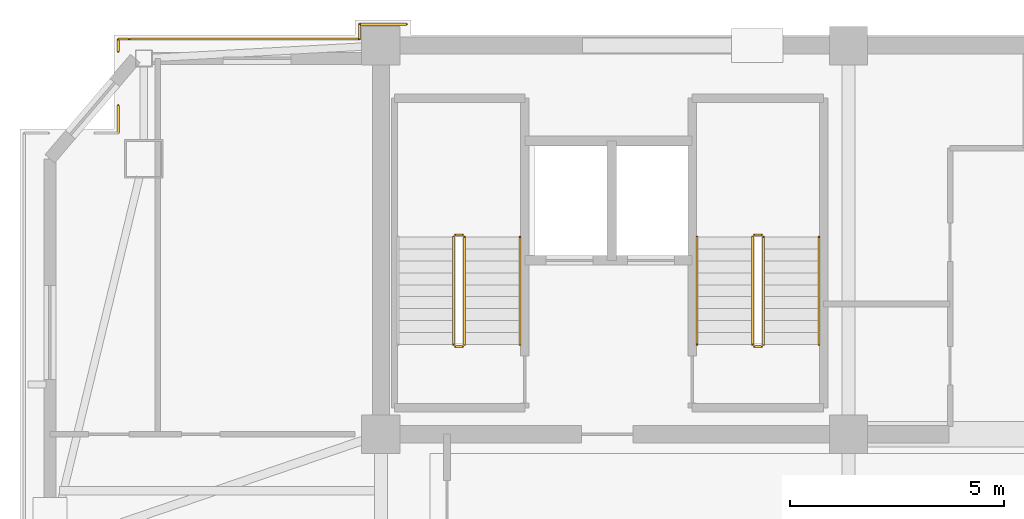
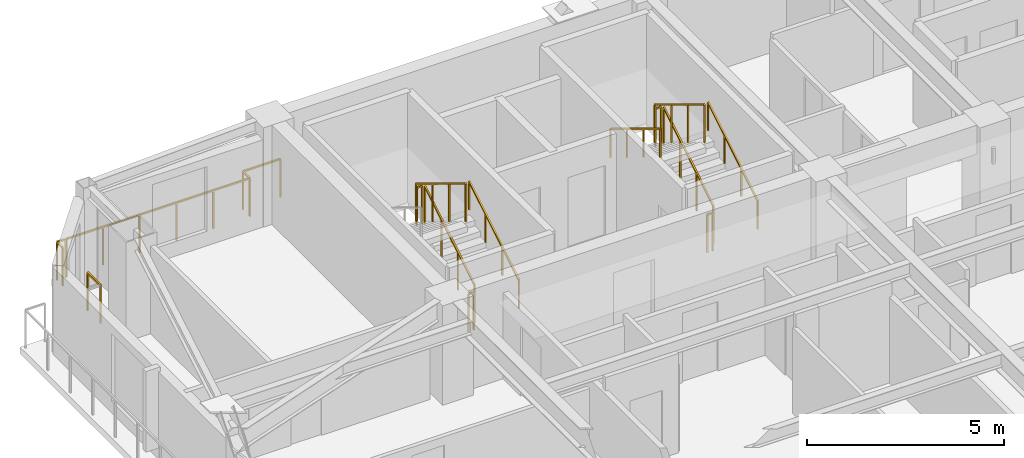
# One storey, part 12 of 13: 17 railings.
"""IFC4 building model written with IfcOpenShell, lengths in metres."""

from ifc_helpers import new_model, si_unit, direction, frame, origin, origin_2d, place, context, subcontext, project, spatial, rectangle, extrude, material, type_object, element, save


model = new_model("IFC4")

# Units and contexts
model_context = context("Model", 3, precision=1e-05, world=origin(), true_north=direction((0.0, 1.0)))
body_context = subcontext(model_context, "Body", "Model", "MODEL_VIEW")
ifc_project = project(units=[si_unit("LENGTHUNIT", "METRE"), si_unit("AREAUNIT", "SQUARE_METRE"), si_unit("VOLUMEUNIT", "CUBIC_METRE"), si_unit("PLANEANGLEUNIT", "RADIAN"), si_unit("MASSUNIT", "GRAM", prefix="KILO")], contexts=[model_context])

# Site, building, storey
site_placement = place(None, origin())
site = spatial("IfcSite", under=ifc_project, at=site_placement, CompositionType="ELEMENT")
building_placement = place(site_placement, origin())
building = spatial("IfcBuilding", under=site, at=building_placement, Name="Giltprow Tower", CompositionType="ELEMENT")
storey_placement = place(building_placement, frame((0.0, 0.0, 349.300048828125)))
storey = spatial("IfcBuildingStorey", under=building, at=storey_placement, Name="L91", CompositionType="ELEMENT", Elevation=349.300048828125)

# Railings
ifc_material = material(Name="Anodized bronze", Category="metal")
railing_type_1 = type_object("IfcRailingType", Name="RAIL-BALC-GUARD-1200", PredefinedType="BALUSTRADE", material=ifc_material)
railing_1_placement = place(storey_placement, frame((13.699951171875, 44.5, 0.0)))
element("IfcRailing", 1, at=railing_1_placement, inside=storey, type_object=railing_type_1, Name="L91 Corner Apron Edge Balustrade 16", PredefinedType="BALUSTRADE", context=body_context, shape_type="SweptSolid", body=[
    extrude(rectangle(XDim=0.048095703125, YDim=0.048095703125, at=origin_2d()), frame((0.0, 0.0, 1.17578125), z_axis=(0.0, 1.0, 0.0), x_axis=(-1.0, 0.0, 0.0)), (0.0, 0.0, 1.0), 0.64697265625),
    extrude(rectangle(XDim=0.0419921875, YDim=0.0419921875, at=origin_2d()), origin(), (0.0, 0.0, 1.0), 1.15185546875),
    extrude(rectangle(XDim=0.0419921875, YDim=0.0419921875, at=origin_2d()), frame((0.0, 0.64697265625, 0.0)), (0.0, 0.0, 1.0), 1.15185546875),
])
railing_2_placement = place(storey_placement, frame((13.699951171875, 46.4130859375, 0.0)))
element("IfcRailing", 2, at=railing_2_placement, inside=storey, type_object=railing_type_1, Name="L91 Corner Apron Edge Balustrade 17", PredefinedType="BALUSTRADE", context=body_context, shape_type="SweptSolid", body=[
    extrude(rectangle(XDim=0.048095703125, YDim=0.048095703125, at=origin_2d()), frame((0.0, 0.0, 1.17578125), z_axis=(0.0, 1.0, 0.0), x_axis=(-1.0, 0.0, 0.0)), (0.0, 0.0, 1.0), 0.286865234375),
    extrude(rectangle(XDim=0.0419921875, YDim=0.0419921875, at=origin_2d()), origin(), (0.0, 0.0, 1.0), 1.15185546875),
    extrude(rectangle(XDim=0.0419921875, YDim=0.0419921875, at=origin_2d()), frame((0.0, 0.286865234375, 0.0)), (0.0, 0.0, 1.0), 1.15185546875),
])
railing_3_placement = place(storey_placement, frame((13.699951171875, 46.699951171875, 0.0)))
element("IfcRailing", 3, at=railing_3_placement, inside=storey, type_object=railing_type_1, Name="L91 Corner Apron Edge Balustrade 18", PredefinedType="BALUSTRADE", context=body_context, shape_type="SweptSolid", body=[
    extrude(rectangle(XDim=0.048095703125, YDim=0.048095703125, at=origin_2d()), frame((0.0, 0.0, 1.17578125), z_axis=(1.0, 0.0, 0.0), x_axis=(0.0, 1.0, 0.0)), (0.0, 0.0, 1.0), 0.2451171875),
    extrude(rectangle(XDim=0.0419921875, YDim=0.0419921875, at=origin_2d()), origin(), (0.0, 0.0, 1.0), 1.15185546875),
    extrude(rectangle(XDim=0.0419921875, YDim=0.0419921875, at=origin_2d()), frame((0.2451171875, 0.0, 0.0)), (0.0, 0.0, 1.0), 1.15185546875),
])
railing_4_placement = place(storey_placement, frame((13.971923828125, 46.699951171875, 0.0)))
element("IfcRailing", 4, at=railing_4_placement, inside=storey, type_object=railing_type_1, Name="L91 Corner Apron Edge Balustrade 19", PredefinedType="BALUSTRADE", context=body_context, shape_type="SweptSolid", body=[
    extrude(rectangle(XDim=0.048095703125, YDim=0.048095703125, at=origin_2d()), frame((0.0, 0.0, 1.17578125), z_axis=(1.0, 0.0, 0.0), x_axis=(0.0, 1.0, 0.0)), (0.0, 0.0, 1.0), 5.378173828125),
    extrude(rectangle(XDim=0.0419921875, YDim=0.0419921875, at=origin_2d()), origin(), (0.0, 0.0, 1.0), 1.15185546875),
    extrude(rectangle(XDim=0.0419921875, YDim=0.0419921875, at=origin_2d()), frame((1.07568359375, 0.0, 0.0)), (0.0, 0.0, 1.0), 1.15185546875),
    extrude(rectangle(XDim=0.0419921875, YDim=0.0419921875, at=origin_2d()), frame((2.1513671875, 0.0, 0.0)), (0.0, 0.0, 1.0), 1.15185546875),
    extrude(rectangle(XDim=0.0419921875, YDim=0.0419921875, at=origin_2d()), frame((3.226806640625, 0.0, 0.0)), (0.0, 0.0, 1.0), 1.15185546875),
    extrude(rectangle(XDim=0.0419921875, YDim=0.0419921875, at=origin_2d()), frame((4.302490234375, 0.0, 0.0)), (0.0, 0.0, 1.0), 1.15185546875),
    extrude(rectangle(XDim=0.0419921875, YDim=0.0419921875, at=origin_2d()), frame((5.378173828125, 0.0, 0.0)), (0.0, 0.0, 1.0), 1.15185546875),
])
railing_5_placement = place(storey_placement, frame((19.35009765625, 46.699951171875, 0.0)))
element("IfcRailing", 5, at=railing_5_placement, inside=storey, type_object=railing_type_1, Name="L91 Corner Apron Edge Balustrade 20", PredefinedType="BALUSTRADE", context=body_context, shape_type="SweptSolid", body=[
    extrude(rectangle(XDim=0.048095703125, YDim=0.048095703125, at=origin_2d()), frame((0.0, 0.0, 1.17578125), z_axis=(0.0, 1.0, 0.0), x_axis=(-1.0, 0.0, 0.0)), (0.0, 0.0, 1.0), 0.35009765625),
    extrude(rectangle(XDim=0.0419921875, YDim=0.0419921875, at=origin_2d()), origin(), (0.0, 0.0, 1.0), 1.15185546875),
    extrude(rectangle(XDim=0.0419921875, YDim=0.0419921875, at=origin_2d()), frame((0.0, 0.35009765625, 0.0)), (0.0, 0.0, 1.0), 1.15185546875),
])
railing_6_placement = place(storey_placement, frame((19.35009765625, 47.050048828125, 0.0)))
element("IfcRailing", 6, at=railing_6_placement, inside=storey, type_object=railing_type_1, Name="L91 Corner Apron Edge Balustrade 21", PredefinedType="BALUSTRADE", context=body_context, shape_type="SweptSolid", body=[
    extrude(rectangle(XDim=0.048095703125, YDim=0.048095703125, at=origin_2d()), frame((0.0, 0.0, 1.17578125), z_axis=(1.0, 0.0, 0.0), x_axis=(0.0, 1.0, 0.0)), (0.0, 0.0, 1.0), 1.099853515625),
    extrude(rectangle(XDim=0.0419921875, YDim=0.0419921875, at=origin_2d()), origin(), (0.0, 0.0, 1.0), 1.15185546875),
    extrude(rectangle(XDim=0.0419921875, YDim=0.0419921875, at=origin_2d()), frame((1.099853515625, 0.0, 0.0)), (0.0, 0.0, 1.0), 1.15185546875),
])
railing_type_2 = type_object("IfcRailingType", Name="RAIL-STAIR-GUARD-1200", PredefinedType="GUARDRAIL", material=ifc_material)
railing_7_placement = place(storey_placement, frame((21.81005859375, 39.550048828125, 0.169921875)))
element("IfcRailing", 7, at=railing_7_placement, inside=storey, type_object=railing_type_2, Name="L91 ST-1 stair guard 1", PredefinedType="GUARDRAIL", context=body_context, shape_type="SweptSolid", body=[
    extrude(rectangle(XDim=0.048095703125, YDim=0.048095703125, at=origin_2d()), frame((0.0, 0.0, 1.17578125), z_axis=(0.0, 0.85478489116, 0.518982456201), x_axis=(-1.0, 0.0, 0.0)), (0.0, 0.0, 1.0), 2.9482421875),
    extrude(rectangle(XDim=0.0419921875, YDim=0.0419921875, at=origin_2d()), origin(), (0.0, 0.0, 1.0), 1.15185546875),
    extrude(rectangle(XDim=0.0419921875, YDim=0.0419921875, at=origin_2d()), frame((0.0, 0.840087890625, 0.510009765625)), (0.0, 0.0, 1.0), 1.15185546875),
    extrude(rectangle(XDim=0.0419921875, YDim=0.0419921875, at=origin_2d()), frame((0.0, 1.679931640625, 1.02001953125)), (0.0, 0.0, 1.0), 1.15185546875),
    extrude(rectangle(XDim=0.0419921875, YDim=0.0419921875, at=origin_2d()), frame((0.0, 2.52001953125, 1.530029296875)), (0.0, 0.0, 1.0), 1.15185546875),
])
railing_8_placement = place(storey_placement, frame((21.760009765625, 42.1201171875, 1.699951171875)))
element("IfcRailing", 8, at=railing_8_placement, inside=storey, type_object=railing_type_2, Name="L91 ST-1 stair guard 2", PredefinedType="GUARDRAIL", context=body_context, shape_type="SweptSolid", body=[
    extrude(rectangle(XDim=0.048095703125, YDim=0.048095703125, at=origin_2d()), frame((0.0, 0.0, 1.17578125), z_axis=(-1.0, 0.0, 0.0), x_axis=(0.0, -1.0, 0.0)), (0.0, 0.0, 1.0), 0.159912109375),
    extrude(rectangle(XDim=0.0419921875, YDim=0.0419921875, at=origin_2d()), origin(), (0.0, 0.0, 1.0), 1.15185546875),
    extrude(rectangle(XDim=0.0419921875, YDim=0.0419921875, at=origin_2d()), frame((-0.159912109375, 0.0, 0.0)), (0.0, 0.0, 1.0), 1.15185546875),
])
railing_9_placement = place(storey_placement, frame((21.550048828125, 42.070068359375, 1.869873046875)))
element("IfcRailing", 9, at=railing_9_placement, inside=storey, type_object=railing_type_2, Name="L91 ST-1 stair guard 3", PredefinedType="GUARDRAIL", context=body_context, shape_type="SweptSolid", body=[
    extrude(rectangle(XDim=0.048095703125, YDim=0.048095703125, at=origin_2d()), frame((0.0, 0.0, 1.17578125), z_axis=(0.0, -0.85478489116, 0.518982456201), x_axis=(1.0, 0.0, 0.0)), (0.0, 0.0, 1.0), 2.9482421875),
    extrude(rectangle(XDim=0.0419921875, YDim=0.0419921875, at=origin_2d()), origin(), (0.0, 0.0, 1.0), 1.15185546875),
    extrude(rectangle(XDim=0.0419921875, YDim=0.0419921875, at=origin_2d()), frame((0.0, -0.840087890625, 0.510009765625)), (0.0, 0.0, 1.0), 1.15185546875),
    extrude(rectangle(XDim=0.0419921875, YDim=0.0419921875, at=origin_2d()), frame((0.0, -1.679931640625, 1.02001953125)), (0.0, 0.0, 1.0), 1.15185546875),
    extrude(rectangle(XDim=0.0419921875, YDim=0.0419921875, at=origin_2d()), frame((0.0, -2.52001953125, 1.530029296875)), (0.0, 0.0, 1.0), 1.15185546875),
])
railing_10_placement = place(storey_placement, frame((21.760009765625, 39.5, 0.0)))
element("IfcRailing", 10, at=railing_10_placement, inside=storey, type_object=railing_type_2, Name="L91 ST-1 stair guard 4", PredefinedType="GUARDRAIL", context=body_context, shape_type="SweptSolid", body=[
    extrude(rectangle(XDim=0.048095703125, YDim=0.048095703125, at=origin_2d()), frame((0.0, 0.0, 1.17578125), z_axis=(-1.0, 0.0, 0.0), x_axis=(0.0, -1.0, 0.0)), (0.0, 0.0, 1.0), 0.159912109375),
    extrude(rectangle(XDim=0.0419921875, YDim=0.0419921875, at=origin_2d()), origin(), (0.0, 0.0, 1.0), 1.15185546875),
    extrude(rectangle(XDim=0.0419921875, YDim=0.0419921875, at=origin_2d()), frame((-0.159912109375, 0.0, 0.0)), (0.0, 0.0, 1.0), 1.15185546875),
])
railing_11_placement = place(storey_placement, frame((28.81005859375, 39.550048828125, 0.169921875)))
element("IfcRailing", 11, at=railing_11_placement, inside=storey, type_object=railing_type_2, Name="L91 ST-2 stair guard 1", PredefinedType="GUARDRAIL", context=body_context, shape_type="SweptSolid", body=[
    extrude(rectangle(XDim=0.048095703125, YDim=0.048095703125, at=origin_2d()), frame((0.0, 0.0, 1.17578125), z_axis=(0.0, 0.85478489116, 0.518982456201), x_axis=(-1.0, 0.0, 0.0)), (0.0, 0.0, 1.0), 2.9482421875),
    extrude(rectangle(XDim=0.0419921875, YDim=0.0419921875, at=origin_2d()), origin(), (0.0, 0.0, 1.0), 1.15185546875),
    extrude(rectangle(XDim=0.0419921875, YDim=0.0419921875, at=origin_2d()), frame((0.0, 0.840087890625, 0.510009765625)), (0.0, 0.0, 1.0), 1.15185546875),
    extrude(rectangle(XDim=0.0419921875, YDim=0.0419921875, at=origin_2d()), frame((0.0, 1.679931640625, 1.02001953125)), (0.0, 0.0, 1.0), 1.15185546875),
    extrude(rectangle(XDim=0.0419921875, YDim=0.0419921875, at=origin_2d()), frame((0.0, 2.52001953125, 1.530029296875)), (0.0, 0.0, 1.0), 1.15185546875),
])
railing_12_placement = place(storey_placement, frame((28.760009765625, 42.1201171875, 1.699951171875)))
element("IfcRailing", 12, at=railing_12_placement, inside=storey, type_object=railing_type_2, Name="L91 ST-2 stair guard 2", PredefinedType="GUARDRAIL", context=body_context, shape_type="SweptSolid", body=[
    extrude(rectangle(XDim=0.048095703125, YDim=0.048095703125, at=origin_2d()), frame((0.0, 0.0, 1.17578125), z_axis=(-1.0, 0.0, 0.0), x_axis=(0.0, -1.0, 0.0)), (0.0, 0.0, 1.0), 0.159912109375),
    extrude(rectangle(XDim=0.0419921875, YDim=0.0419921875, at=origin_2d()), origin(), (0.0, 0.0, 1.0), 1.15185546875),
    extrude(rectangle(XDim=0.0419921875, YDim=0.0419921875, at=origin_2d()), frame((-0.159912109375, 0.0, 0.0)), (0.0, 0.0, 1.0), 1.15185546875),
])
railing_13_placement = place(storey_placement, frame((28.550048828125, 42.070068359375, 1.869873046875)))
element("IfcRailing", 13, at=railing_13_placement, inside=storey, type_object=railing_type_2, Name="L91 ST-2 stair guard 3", PredefinedType="GUARDRAIL", context=body_context, shape_type="SweptSolid", body=[
    extrude(rectangle(XDim=0.048095703125, YDim=0.048095703125, at=origin_2d()), frame((0.0, 0.0, 1.17578125), z_axis=(0.0, -0.85478489116, 0.518982456201), x_axis=(1.0, 0.0, 0.0)), (0.0, 0.0, 1.0), 2.9482421875),
    extrude(rectangle(XDim=0.0419921875, YDim=0.0419921875, at=origin_2d()), origin(), (0.0, 0.0, 1.0), 1.15185546875),
    extrude(rectangle(XDim=0.0419921875, YDim=0.0419921875, at=origin_2d()), frame((0.0, -0.840087890625, 0.510009765625)), (0.0, 0.0, 1.0), 1.15185546875),
    extrude(rectangle(XDim=0.0419921875, YDim=0.0419921875, at=origin_2d()), frame((0.0, -1.679931640625, 1.02001953125)), (0.0, 0.0, 1.0), 1.15185546875),
    extrude(rectangle(XDim=0.0419921875, YDim=0.0419921875, at=origin_2d()), frame((0.0, -2.52001953125, 1.530029296875)), (0.0, 0.0, 1.0), 1.15185546875),
])
railing_14_placement = place(storey_placement, frame((28.760009765625, 39.5, 0.0)))
element("IfcRailing", 14, at=railing_14_placement, inside=storey, type_object=railing_type_2, Name="L91 ST-2 stair guard 4", PredefinedType="GUARDRAIL", context=body_context, shape_type="SweptSolid", body=[
    extrude(rectangle(XDim=0.048095703125, YDim=0.048095703125, at=origin_2d()), frame((0.0, 0.0, 1.17578125), z_axis=(-1.0, 0.0, 0.0), x_axis=(0.0, -1.0, 0.0)), (0.0, 0.0, 1.0), 0.159912109375),
    extrude(rectangle(XDim=0.0419921875, YDim=0.0419921875, at=origin_2d()), origin(), (0.0, 0.0, 1.0), 1.15185546875),
    extrude(rectangle(XDim=0.0419921875, YDim=0.0419921875, at=origin_2d()), frame((-0.159912109375, 0.0, 0.0)), (0.0, 0.0, 1.0), 1.15185546875),
])
railing_type_3 = type_object("IfcRailingType", Name="RAIL-STAIR-HAND-900", PredefinedType="HANDRAIL", material=ifc_material)
for number, where, name in (
    (15, (23.110107421875, 39.550048828125, 0.169921875), "L91 ST-1 stair handrail 1"),
    (16, (30.110107421875, 39.550048828125, 0.169921875), "L91 ST-2 stair handrail 1"),
):
    element("IfcRailing", number, at=place(storey_placement, frame(where)), inside=storey, type_object=railing_type_3, Name=name, PredefinedType="HANDRAIL", context=body_context, shape_type="SweptSolid", body=[
        extrude(rectangle(XDim=0.048095703125, YDim=0.048095703125, at=origin_2d()), frame((0.0, 0.0, 0.8759765625), z_axis=(0.0, 0.85478489116, 0.518982456201), x_axis=(-1.0, 0.0, 0.0)), (0.0, 0.0, 1.0), 2.9482421875),
        extrude(rectangle(XDim=0.0419921875, YDim=0.0419921875, at=origin_2d()), origin(), (0.0, 0.0, 1.0), 0.851806640625),
        extrude(rectangle(XDim=0.0419921875, YDim=0.0419921875, at=origin_2d()), frame((0.0, 0.840087890625, 0.510009765625)), (0.0, 0.0, 1.0), 0.851806640625),
        extrude(rectangle(XDim=0.0419921875, YDim=0.0419921875, at=origin_2d()), frame((0.0, 1.679931640625, 1.02001953125)), (0.0, 0.0, 1.0), 0.851806640625),
        extrude(rectangle(XDim=0.0419921875, YDim=0.0419921875, at=origin_2d()), frame((0.0, 2.52001953125, 1.530029296875)), (0.0, 0.0, 1.0), 0.851806640625),
    ])
railing_15_placement = place(storey_placement, frame((27.25, 42.070068359375, 1.869873046875)))
element("IfcRailing", 17, at=railing_15_placement, inside=storey, type_object=railing_type_3, Name="L91 ST-2 stair handrail 2", PredefinedType="HANDRAIL", context=body_context, shape_type="SweptSolid", body=[
    extrude(rectangle(XDim=0.048095703125, YDim=0.048095703125, at=origin_2d()), frame((0.0, 0.0, 0.8759765625), z_axis=(0.0, -0.85478489116, 0.518982456201), x_axis=(1.0, 0.0, 0.0)), (0.0, 0.0, 1.0), 2.9482421875),
    extrude(rectangle(XDim=0.0419921875, YDim=0.0419921875, at=origin_2d()), origin(), (0.0, 0.0, 1.0), 0.851806640625),
    extrude(rectangle(XDim=0.0419921875, YDim=0.0419921875, at=origin_2d()), frame((0.0, -0.840087890625, 0.510009765625)), (0.0, 0.0, 1.0), 0.851806640625),
    extrude(rectangle(XDim=0.0419921875, YDim=0.0419921875, at=origin_2d()), frame((0.0, -1.679931640625, 1.02001953125)), (0.0, 0.0, 1.0), 0.851806640625),
    extrude(rectangle(XDim=0.0419921875, YDim=0.0419921875, at=origin_2d()), frame((0.0, -2.52001953125, 1.530029296875)), (0.0, 0.0, 1.0), 0.851806640625),
])

save(model, "model.ifc")
